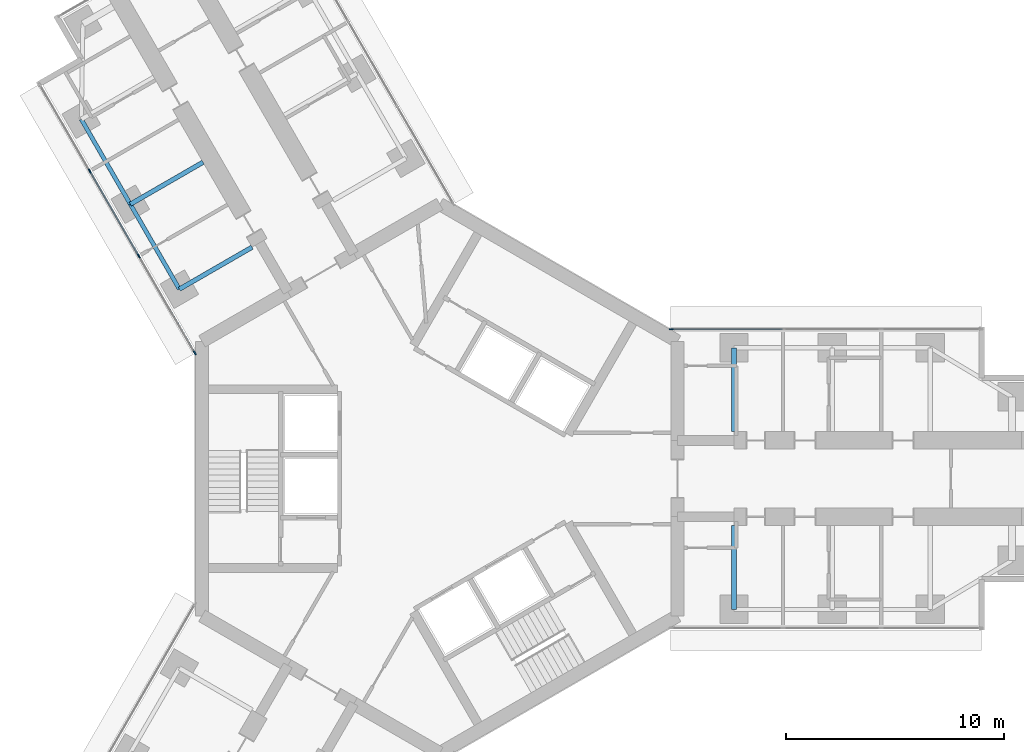
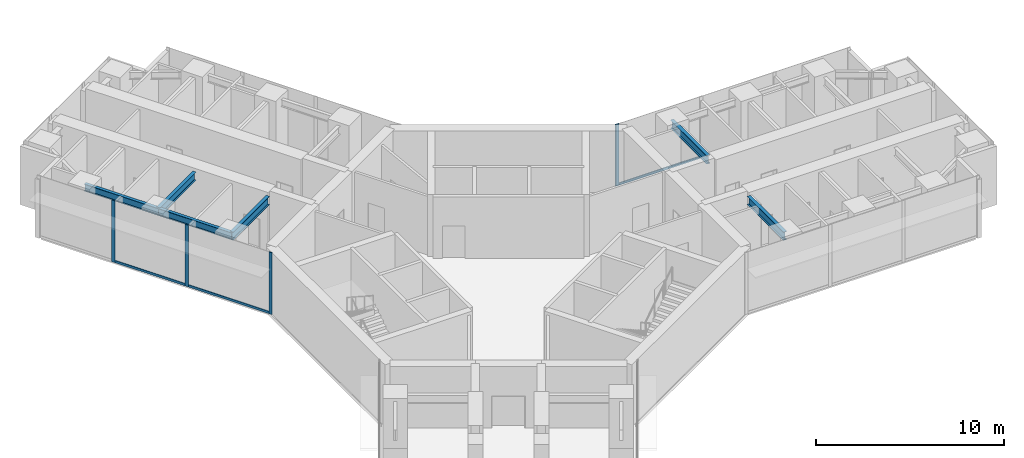
# One storey, part 5 of 22: 7 members, 6 beams, 2 elements without a shape of their own.
"""IFC4 building model written with IfcOpenShell, lengths in metres."""

from ifc_helpers import new_model, si_unit, direction, frame, origin, origin_2d, place, context, subcontext, project, spatial, rectangle, i_section, extrude, material, material_profile, profile_set, type_object, element, aggregate, save


model = new_model("IFC4")

# Units and contexts
model_context = context("Model", 3, precision=1e-05, world=origin(), true_north=direction((0.0, 1.0)))
body_context = subcontext(model_context, "Body", "Model", "MODEL_VIEW")
ifc_project = project(units=[si_unit("LENGTHUNIT", "METRE"), si_unit("AREAUNIT", "SQUARE_METRE"), si_unit("VOLUMEUNIT", "CUBIC_METRE"), si_unit("PLANEANGLEUNIT", "RADIAN"), si_unit("MASSUNIT", "GRAM", prefix="KILO")], contexts=[model_context])

# Site, building, storey
site_placement = place(None, origin())
site = spatial("IfcSite", under=ifc_project, at=site_placement, CompositionType="ELEMENT")
building_placement = place(site_placement, origin())
building = spatial("IfcBuilding", under=site, at=building_placement, Name="Upepo Twin Towers", CompositionType="ELEMENT")
storey_placement = place(building_placement, frame((0.0, 0.0, 141.5)))
storey = spatial("IfcBuildingStorey", under=building, at=storey_placement, Name="L34", CompositionType="ELEMENT", Elevation=141.5)

# Beams
ifc_material_1 = material(Name="Steel S355", Category="steel")
ifc_material_profile_1 = material_profile(ifc_material_1, i_section(OverallWidth=0.1904296875, OverallDepth=0.45703125, WebThickness=0.009033203125, FlangeThickness=0.014404296875, FilletRadius=0.01025390625, at=origin_2d()), Name="UB 457x191x74")
ifc_profile_set_1 = profile_set([ifc_material_profile_1], Name="Steel S355")
beam_type_1 = type_object("IfcBeamType", Name="Beam UB 457x191x74", PredefinedType="BEAM", material=ifc_profile_set_1)
beam_1_placement = place(storey_placement, frame((-11.946044921875, 8.69140625, 3.571533203125), z_axis=(-0.500013631625, 0.866017533419, 0.0), x_axis=(-0.866017533419, -0.500013631625, 0.0)))
element("IfcBeam", 1, at=beam_1_placement, inside=storey, type_object=beam_type_1, Name="T1 edge beam BL 13.5-18.0", PredefinedType="BEAM", context=body_context, shape_type="SweptSolid", body=[
    extrude(i_section(OverallWidth=0.1904296875, OverallDepth=0.45703125, WebThickness=0.009033203125, FlangeThickness=0.014404296875, FilletRadius=0.01025390625, at=origin_2d()), origin(), (0.0, 0.0, 1.0), 4.499755859375),
])
beam_2_placement = place(storey_placement, frame((-14.196044921875, 12.58837890625, 3.571533203125), z_axis=(-0.499990139034, 0.866031096941, 0.0), x_axis=(-0.866031096941, -0.499990139034, 0.0)))
element("IfcBeam", 2, at=beam_2_placement, inside=storey, type_object=beam_type_1, Name="T1 edge beam BL 18.0-22.5", PredefinedType="BEAM", context=body_context, shape_type="SweptSolid", body=[
    extrude(i_section(OverallWidth=0.1904296875, OverallDepth=0.45703125, WebThickness=0.009033203125, FlangeThickness=0.014404296875, FilletRadius=0.01025390625, at=origin_2d()), origin(), (0.0, 0.0, 1.0), 4.5),
])
ifc_material_2 = material(Name="Steel S355", Category="steel")
ifc_material_profile_2 = material_profile(ifc_material_2, i_section(OverallWidth=0.209228515625, OverallDepth=0.533203125, WebThickness=0.010009765625, FlangeThickness=0.015625, FilletRadius=0.0126953125, at=origin_2d()), Name="UB 533x210x92")
ifc_profile_set_2 = profile_set([ifc_material_profile_2], Name="Steel S355")
beam_type_2 = type_object("IfcBeamType", Name="Beam UB 533x210x92", PredefinedType="BEAM", material=ifc_profile_set_2)
for number, where, z_axis, x_axis, name in (
    (3, (13.5, 6.0, 3.533447265625), (0.0, -1.0, 0.0), (1.0, 0.0, 0.0), "T1 girder AL at 13.5"),
    (4, (13.5, -6.0, 3.533447265625), (0.0, 1.0, 0.0), (-1.0, 0.0, 0.0), "T1 girder AR at 13.5"),
):
    element("IfcBeam", number, at=place(storey_placement, frame(where, z_axis=z_axis, x_axis=x_axis)), inside=storey, type_object=beam_type_2, Name=name, PredefinedType="BEAM", context=body_context, shape_type="SweptSolid", body=[
        extrude(i_section(OverallWidth=0.209228515625, OverallDepth=0.533203125, WebThickness=0.010009765625, FlangeThickness=0.015625, FilletRadius=0.0126953125, at=origin_2d()), origin(), (0.0, 0.0, 1.0), 3.85009765625),
    ])
for number, where, z_axis, x_axis, name in (
    (5, (-11.946044921875, 8.69140625, 3.533447265625), (0.866006051527, 0.500033517596, 0.0), (-0.500033517596, 0.866006051527, 0.0), "T1 girder BL at 13.5"),
    (6, (-14.196044921875, 12.58837890625, 3.533447265625), (0.866006051527, 0.500033517596, 0.0), (-0.500033517596, 0.866006051527, 0.0), "T1 girder BL at 18.0"),
):
    element("IfcBeam", number, at=place(storey_placement, frame(where, z_axis=z_axis, x_axis=x_axis)), inside=storey, type_object=beam_type_2, Name=name, PredefinedType="BEAM", context=body_context, shape_type="SweptSolid", body=[
        extrude(i_section(OverallWidth=0.209228515625, OverallDepth=0.533203125, WebThickness=0.010009765625, FlangeThickness=0.015625, FilletRadius=0.0126953125, at=origin_2d()), origin(), (0.0, 0.0, 1.0), 3.849853515625),
    ])

# Curtain wall, member
ifc_material_3 = material(Name="Aluminium and fritted glass", Category="aluminium")
curtain_wall_type = type_object("IfcCurtainWallType", Name="Tower curtain wall TW2, fritted glass", PredefinedType="NOTDEFINED", material=ifc_material_3)
curtain_wall_1_placement = place(storey_placement, origin())
curtain_wall_1 = element("IfcCurtainWall", 7, at=curtain_wall_1_placement, inside=storey, type_object=curtain_wall_type, Name="T1 L34 wing A flank L curtain wall", PredefinedType="NOTDEFINED")
ifc_material_4 = material(Name="Aluminium mullion", Category="aluminium")
ifc_material_profile_3 = material_profile(ifc_material_4, rectangle(XDim=0.06494140625, YDim=0.199951171875, at=origin_2d()), Name="MULLION 65x200")
ifc_profile_set_3 = profile_set([ifc_material_profile_3], Name="Aluminium mullion")
member_type_1 = type_object("IfcMemberType", Name="Mullion 65x200 TW2", PredefinedType="MULLION", material=ifc_profile_set_3)
member_1_placement = place(storey_placement, frame((10.61962890625, 6.85009765625, 0.0), z_axis=(0.0, 0.0, 1.0), x_axis=(0.0, 1.0, 0.0)))
member_1 = element("IfcMember", 8, at=member_1_placement, type_object=member_type_1, Name="T1 L34 wing A flank L curtain wall mullion 1", PredefinedType="MULLION", context=body_context, shape_type="SweptSolid", body=[
    extrude(rectangle(XDim=0.06494140625, YDim=0.199951171875, at=origin_2d()), origin(), (0.0, 0.0, 1.0), 4.0),
])

# Curtain wall, members
curtain_wall_2_placement = place(storey_placement, origin())
curtain_wall_2 = element("IfcCurtainWall", 9, at=curtain_wall_2_placement, inside=storey, type_object=curtain_wall_type, Name="T1 L34 wing B flank L curtain wall", PredefinedType="NOTDEFINED")
member_2_placement = place(storey_placement, frame((-11.2421875, 5.77197265625, 0.0), z_axis=(0.0, 0.0, 1.0), x_axis=(-0.866025397833, -0.500000010308, 0.0)))
member_2 = element("IfcMember", 10, at=member_2_placement, type_object=member_type_1, Name="T1 L34 wing B flank L curtain wall mullion 1", PredefinedType="MULLION", context=body_context, shape_type="SweptSolid", body=[
    extrude(rectangle(XDim=0.06494140625, YDim=0.199951171875, at=origin_2d()), origin(), (0.0, 0.0, 1.0), 4.0),
])
member_3_placement = place(storey_placement, frame((-13.807373046875, 10.21484375, 0.0), z_axis=(0.0, 0.0, 1.0), x_axis=(-0.866025397833, -0.500000010308, 0.0)))
member_3 = element("IfcMember", 11, at=member_3_placement, type_object=member_type_1, Name="T1 L34 wing B flank L curtain wall mullion 2", PredefinedType="MULLION", context=body_context, shape_type="SweptSolid", body=[
    extrude(rectangle(XDim=0.06494140625, YDim=0.199951171875, at=origin_2d()), origin(), (0.0, 0.0, 1.0), 4.0),
])
member_4_placement = place(storey_placement, frame((-16.057373046875, 14.112060546875, 0.0), z_axis=(0.0, 0.0, 1.0), x_axis=(-0.866025397833, -0.500000010308, 0.0)))
member_4 = element("IfcMember", 12, at=member_4_placement, type_object=member_type_1, Name="T1 L34 wing B flank L curtain wall mullion 3", PredefinedType="MULLION", context=body_context, shape_type="SweptSolid", body=[
    extrude(rectangle(XDim=0.06494140625, YDim=0.199951171875, at=origin_2d()), origin(), (0.0, 0.0, 1.0), 4.0),
])

# Member
ifc_material_5 = material(Name="Aluminium transom", Category="aluminium")
ifc_material_profile_4 = material_profile(ifc_material_5, rectangle(XDim=0.06494140625, YDim=0.14990234375, at=origin_2d()), Name="TRANSOM 65x150")
ifc_profile_set_4 = profile_set([ifc_material_profile_4], Name="Aluminium transom")
member_type_2 = type_object("IfcMemberType", Name="Transom 65x150 TW2", PredefinedType="USERDEFINED", material=ifc_profile_set_4)
member_5_placement = place(storey_placement, frame((10.652099609375, 6.85009765625, 0.074951171875), z_axis=(1.0, 0.0, 0.0), x_axis=(0.0, 1.0, 0.0)))
member_5 = element("IfcMember", 13, at=member_5_placement, type_object=member_type_2, Name="T1 L34 wing A flank L curtain wall transom 1", ObjectType="TRANSOM", PredefinedType="USERDEFINED", context=body_context, shape_type="SweptSolid", body=[
    extrude(rectangle(XDim=0.06494140625, YDim=0.14990234375, at=origin_2d()), origin(), (0.0, 0.0, 1.0), 5.0654296875),
])

aggregate(curtain_wall_1, [member_1, member_5])

member_6_placement = place(storey_placement, frame((-11.25830078125, 5.800048828125, 0.074951171875), z_axis=(-0.500006158363, 0.866021848223, 0.0), x_axis=(-0.866021848223, -0.500006158363, 0.0)))
member_6 = element("IfcMember", 14, at=member_6_placement, type_object=member_type_2, Name="T1 L34 wing B flank L curtain wall transom 1", ObjectType="TRANSOM", PredefinedType="USERDEFINED", context=body_context, shape_type="SweptSolid", body=[
    extrude(rectangle(XDim=0.06494140625, YDim=0.14990234375, at=origin_2d()), origin(), (0.0, 0.0, 1.0), 5.0654296875),
])

member_7_placement = place(storey_placement, frame((-13.823486328125, 10.2431640625, 0.074951171875), z_axis=(-0.500005184116, 0.866022410713, 0.0), x_axis=(-0.866022410713, -0.500005184116, 0.0)))
member_7 = element("IfcMember", 15, at=member_7_placement, type_object=member_type_2, Name="T1 L34 wing B flank L curtain wall transom 2", ObjectType="TRANSOM", PredefinedType="USERDEFINED", context=body_context, shape_type="SweptSolid", body=[
    extrude(rectangle(XDim=0.06494140625, YDim=0.14990234375, at=origin_2d()), origin(), (0.0, 0.0, 1.0), 4.43505859375),
])

aggregate(curtain_wall_2, [member_2, member_3, member_4, member_6, member_7])

save(model, "model.ifc")
